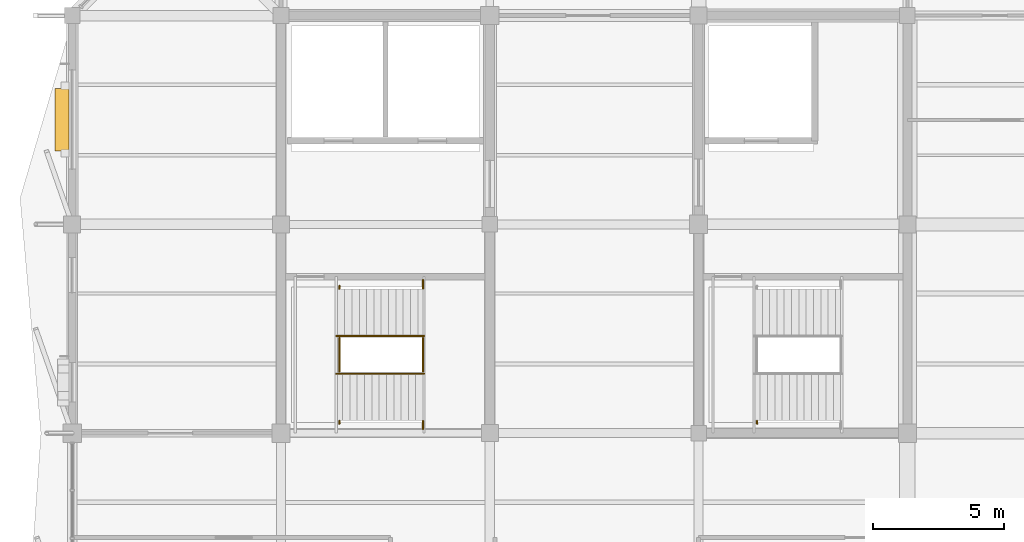
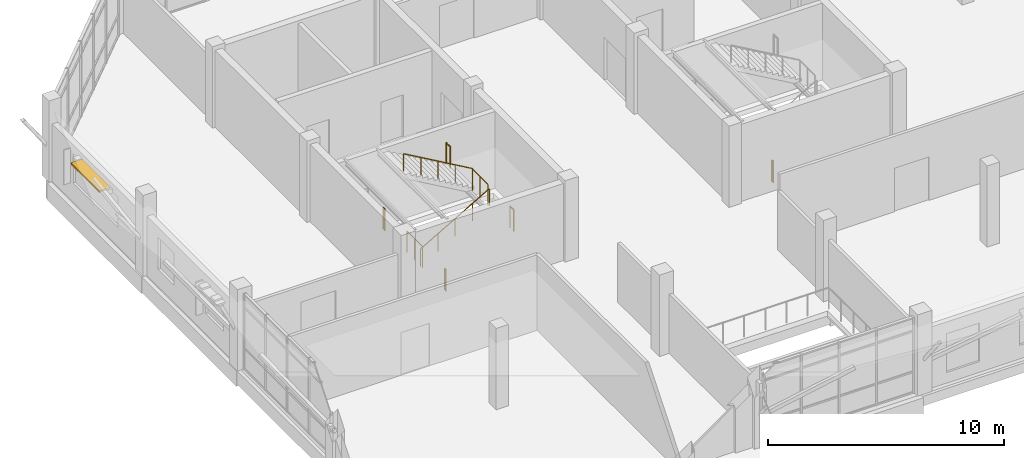
# One storey, part 80 of 84: 9 railings, 1 shading device, 1 element without a shape of its own.
"""IFC4 building model written with IfcOpenShell, lengths in metres."""

from ifc_helpers import new_model, si_unit, direction, frame, origin, origin_2d, place, context, subcontext, project, spatial, rectangle, circle, extrude, material, layer, layer_set, type_object, element, aggregate, save


model = new_model("IFC4")

# Units and contexts
model_context = context("Model", 3, precision=1e-05, world=origin(), true_north=direction((0.0, 1.0)))
body_context = subcontext(model_context, "Body", "Model", "MODEL_VIEW")
ifc_project = project(units=[si_unit("LENGTHUNIT", "METRE"), si_unit("AREAUNIT", "SQUARE_METRE"), si_unit("VOLUMEUNIT", "CUBIC_METRE"), si_unit("PLANEANGLEUNIT", "RADIAN"), si_unit("MASSUNIT", "GRAM", prefix="KILO")], contexts=[model_context])

# Site, building, storey
site_placement = place(None, origin())
site = spatial("IfcSite", under=ifc_project, at=site_placement, CompositionType="ELEMENT")
building_placement = place(site_placement, origin())
building = spatial("IfcBuilding", under=site, at=building_placement, Name="Tenunan Teduh Sports Hall", CompositionType="ELEMENT")
storey_placement = place(building_placement, frame((0.0, 0.0, 10.800048828125)))
storey = spatial("IfcBuildingStorey", under=building, at=storey_placement, Name="L02", CompositionType="ELEMENT", Elevation=10.800048828125)

# Railings
ifc_material_1 = material(Name="Galvanised and powder-coated steel", Category="steel")
ifc_layer_1 = layer(ifc_material_1, 0.070068359375)
ifc_layer_set_1 = layer_set([ifc_layer_1], Name="Galvanised and powder-coated steel")
railing_type_1 = type_object("IfcRailingType", Name="RLG-EXT-GRD", PredefinedType="GUARDRAIL", material=ifc_layer_set_1)
railing_1_placement = place(storey_placement, frame((16.239990234375, 96.35009765625, 0.0)))
element("IfcRailing", 1, at=railing_1_placement, inside=storey, type_object=railing_type_1, Name="RLG-STW-WLND-W1-L01", PredefinedType="GUARDRAIL", context=body_context, shape_type="SweptSolid", body=[
    extrude(circle(Radius=0.02392578125, at=origin_2d()), frame((0.0, 0.0, 1.09619140625), z_axis=(0.0, 1.0, 0.0), x_axis=(-1.0, 0.0, 0.0)), (0.0, 0.0, 1.0), 1.2998046875),
    extrude(circle(Radius=0.02099609375, at=origin_2d()), origin(), (0.0, 0.0, 1.0), 1.072021484375),
    extrude(circle(Radius=0.02099609375, at=origin_2d()), frame((0.0, 0.64990234375, 0.0)), (0.0, 0.0, 1.0), 1.072021484375),
    extrude(circle(Radius=0.02099609375, at=origin_2d()), frame((0.0, 1.2998046875, 0.0)), (0.0, 0.0, 1.0), 1.072021484375),
])
for number, where, name in (
    (2, (16.239990234375, 94.360107421875, 0.0), "RLG-STW-WLNDS-W1-L01"),
    (3, (16.239990234375, 99.530029296875, 0.0), "RLG-STW-WLNDN-W1-L01"),
):
    element("IfcRailing", number, at=place(storey_placement, frame(where)), inside=storey, type_object=railing_type_1, Name=name, PredefinedType="GUARDRAIL", context=body_context, shape_type="SweptSolid", body=[
        extrude(circle(Radius=0.02392578125, at=origin_2d()), frame((0.0, 0.0, 1.09619140625), z_axis=(0.0, 1.0, 0.0), x_axis=(-1.0, 0.0, 0.0)), (0.0, 0.0, 1.0), 0.10986328125),
        extrude(circle(Radius=0.02099609375, at=origin_2d()), origin(), (0.0, 0.0, 1.0), 1.072021484375),
        extrude(circle(Radius=0.02099609375, at=origin_2d()), frame((0.0, 0.10986328125, 0.0)), (0.0, 0.0, 1.0), 1.072021484375),
    ])
railing_2_placement = place(storey_placement, frame((19.43994140625, 96.35009765625, 2.099853515625)))
element("IfcRailing", 4, at=railing_2_placement, inside=storey, type_object=railing_type_1, Name="RLG-STW-MID-W1-L02", PredefinedType="GUARDRAIL", context=body_context, shape_type="SweptSolid", body=[
    extrude(circle(Radius=0.02392578125, at=origin_2d()), frame((0.0, 0.0, 1.09619140625), z_axis=(0.0, 1.0, 0.0), x_axis=(-1.0, 0.0, 0.0)), (0.0, 0.0, 1.0), 1.2998046875),
    extrude(circle(Radius=0.02099609375, at=origin_2d()), origin(), (0.0, 0.0, 1.0), 1.072021484375),
    extrude(circle(Radius=0.02099609375, at=origin_2d()), frame((0.0, 0.64990234375, 0.0)), (0.0, 0.0, 1.0), 1.072021484375),
    extrude(circle(Radius=0.02099609375, at=origin_2d()), frame((0.0, 1.2998046875, 0.0)), (0.0, 0.0, 1.0), 1.072021484375),
])
railing_3_placement = place(storey_placement, frame((19.43994140625, 94.159912109375, 2.099853515625)))
element("IfcRailing", 5, at=railing_3_placement, inside=storey, type_object=railing_type_1, Name="RLG-STW-MIDS-W1-L02", PredefinedType="GUARDRAIL", context=body_context, shape_type="SweptSolid", body=[
    extrude(circle(Radius=0.02392578125, at=origin_2d()), frame((0.0, 0.0, 1.09619140625), z_axis=(0.0, 1.0, 0.0), x_axis=(-1.0, 0.0, 0.0)), (0.0, 0.0, 1.0), 0.31005859375),
    extrude(circle(Radius=0.02099609375, at=origin_2d()), origin(), (0.0, 0.0, 1.0), 1.072021484375),
    extrude(circle(Radius=0.02099609375, at=origin_2d()), frame((0.0, 0.31005859375, 0.0)), (0.0, 0.0, 1.0), 1.072021484375),
])
railing_4_placement = place(storey_placement, frame((19.43994140625, 99.530029296875, 2.099853515625)))
element("IfcRailing", 6, at=railing_4_placement, inside=storey, type_object=railing_type_1, Name="RLG-STW-MIDN-W1-L02", PredefinedType="GUARDRAIL", context=body_context, shape_type="SweptSolid", body=[
    extrude(circle(Radius=0.02392578125, at=origin_2d()), frame((0.0, 0.0, 1.09619140625), z_axis=(0.0, 1.0, 0.0), x_axis=(-1.0, 0.0, 0.0)), (0.0, 0.0, 1.0), 0.340087890625),
    extrude(circle(Radius=0.02099609375, at=origin_2d()), origin(), (0.0, 0.0, 1.0), 1.072021484375),
    extrude(circle(Radius=0.02099609375, at=origin_2d()), frame((0.0, 0.340087890625, 0.0)), (0.0, 0.0, 1.0), 1.072021484375),
])
railing_5_placement = place(storey_placement, frame((32.239990234375, 94.360107421875, 0.0)))
element("IfcRailing", 7, at=railing_5_placement, inside=storey, type_object=railing_type_1, Name="RLG-STW-WLNDS-W2-L01", PredefinedType="GUARDRAIL", context=body_context, shape_type="SweptSolid", body=[
    extrude(circle(Radius=0.02392578125, at=origin_2d()), frame((0.0, 0.0, 1.09619140625), z_axis=(0.0, 1.0, 0.0), x_axis=(-1.0, 0.0, 0.0)), (0.0, 0.0, 1.0), 0.10986328125),
    extrude(circle(Radius=0.02099609375, at=origin_2d()), origin(), (0.0, 0.0, 1.0), 1.072021484375),
    extrude(circle(Radius=0.02099609375, at=origin_2d()), frame((0.0, 0.10986328125, 0.0)), (0.0, 0.0, 1.0), 1.072021484375),
])

# Stair, railings
ifc_material_2 = material(Name="Precast concrete C40/50", Category="concrete")
stair_type = type_object("IfcStairType", Name="STR-CORE-54", PredefinedType="HALF_TURN_STAIR", material=ifc_material_2)
stair_placement = place(storey_placement, origin())
stair = element("IfcStair", 8, at=stair_placement, inside=storey, type_object=stair_type, Name="STR-W1-L02", PredefinedType="HALF_TURN_STAIR")
ifc_material_3 = material(Name="Brushed stainless steel", Category="steel")
ifc_layer_2 = layer(ifc_material_3, 0.050048828125)
ifc_layer_set_2 = layer_set([ifc_layer_2], Name="Brushed stainless steel")
railing_type_2 = type_object("IfcRailingType", Name="RLG-STAIR-HR", PredefinedType="HANDRAIL", material=ifc_layer_set_2)
railing_6_placement = place(storey_placement, frame((16.1201171875, 96.280029296875, 0.161376953125)))
railing_6 = element("IfcRailing", 9, at=railing_6_placement, type_object=railing_type_2, Name="STR-W1-L02-HR1", PredefinedType="HANDRAIL", context=body_context, shape_type="SweptSolid", body=[
    extrude(circle(Radius=0.02392578125, at=origin_2d()), frame((0.0, 0.0, 0.89599609375), z_axis=(0.866175107563, 0.0, 0.499740615757), x_axis=(0.0, 1.0, 0.0)), (0.0, 0.0, 1.0), 3.87890625),
    extrude(circle(Radius=0.02099609375, at=origin_2d()), origin(), (0.0, 0.0, 1.0), 0.871826171875),
    extrude(circle(Radius=0.02099609375, at=origin_2d()), frame((0.83984375, 0.0, 0.484619140625)), (0.0, 0.0, 1.0), 0.871826171875),
    extrude(circle(Radius=0.02099609375, at=origin_2d()), frame((1.679931640625, 0.0, 0.96923828125)), (0.0, 0.0, 1.0), 0.871826171875),
    extrude(circle(Radius=0.02099609375, at=origin_2d()), frame((2.52001953125, 0.0, 1.453857421875)), (0.0, 0.0, 1.0), 0.871826171875),
    extrude(circle(Radius=0.02099609375, at=origin_2d()), frame((3.35986328125, 0.0, 1.9384765625)), (0.0, 0.0, 1.0), 0.871826171875),
])
railing_7_placement = place(storey_placement, frame((19.47998046875, 97.719970703125, 2.261474609375)))
railing_7 = element("IfcRailing", 10, at=railing_7_placement, type_object=railing_type_2, Name="STR-W1-L02-HR2", PredefinedType="HANDRAIL", context=body_context, shape_type="SweptSolid", body=[
    extrude(circle(Radius=0.02392578125, at=origin_2d()), frame((0.0, 0.0, 0.89599609375), z_axis=(-0.866175107563, 0.0, 0.499740615757), x_axis=(0.0, -1.0, 0.0)), (0.0, 0.0, 1.0), 3.87890625),
    extrude(circle(Radius=0.02099609375, at=origin_2d()), origin(), (0.0, 0.0, 1.0), 0.871826171875),
    extrude(circle(Radius=0.02099609375, at=origin_2d()), frame((-0.83984375, 0.0, 0.484619140625)), (0.0, 0.0, 1.0), 0.871826171875),
    extrude(circle(Radius=0.02099609375, at=origin_2d()), frame((-1.679931640625, 0.0, 0.96923828125)), (0.0, 0.0, 1.0), 0.871826171875),
    extrude(circle(Radius=0.02099609375, at=origin_2d()), frame((-2.52001953125, 0.0, 1.453857421875)), (0.0, 0.0, 1.0), 0.871826171875),
    extrude(circle(Radius=0.02099609375, at=origin_2d()), frame((-3.35986328125, 0.0, 1.9384765625)), (0.0, 0.0, 1.0), 0.871826171875),
])
aggregate(stair, [railing_6, railing_7])

# Shading device
ifc_material_4 = material(Name="Perforated anodised aluminium", Category="aluminium")
shading_device_type = type_object("IfcShadingDeviceType", Name="SHD-LOUVRE-2", PredefinedType="SHUTTER", material=ifc_material_4)
shading_device_placement = place(storey_placement, frame((5.610107421875, 106.014892578125, 2.56494140625), z_axis=(0.0, 0.0, 1.0), x_axis=(0.0, 1.0, 0.0)))
element("IfcShadingDevice", 11, at=shading_device_placement, inside=storey, type_object=shading_device_type, Name="SHD-L02-052", PredefinedType="SHUTTER", context=body_context, shape_type="SweptSolid", body=[
    extrude(rectangle(XDim=2.39990234375, YDim=0.550048828125, at=origin_2d()), origin(), (0.0, 0.0, 1.0), 0.090087890625),
])

save(model, "model.ifc")
